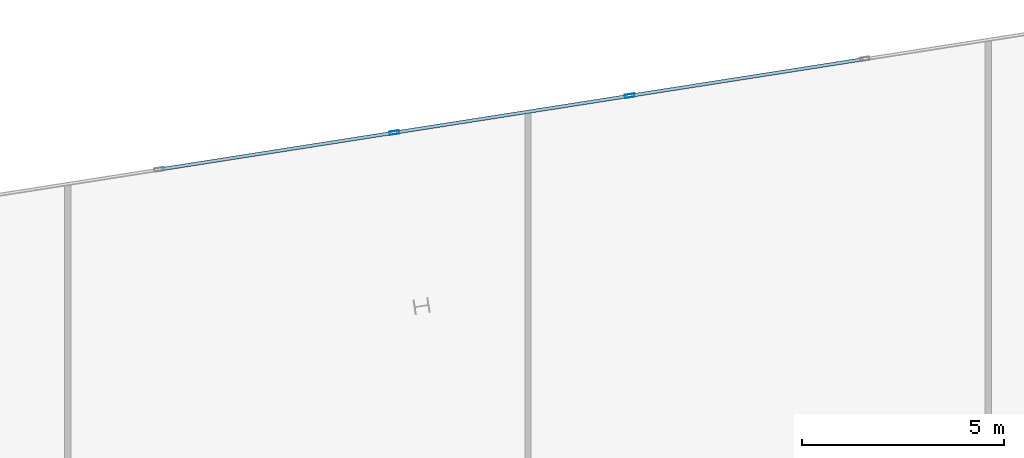
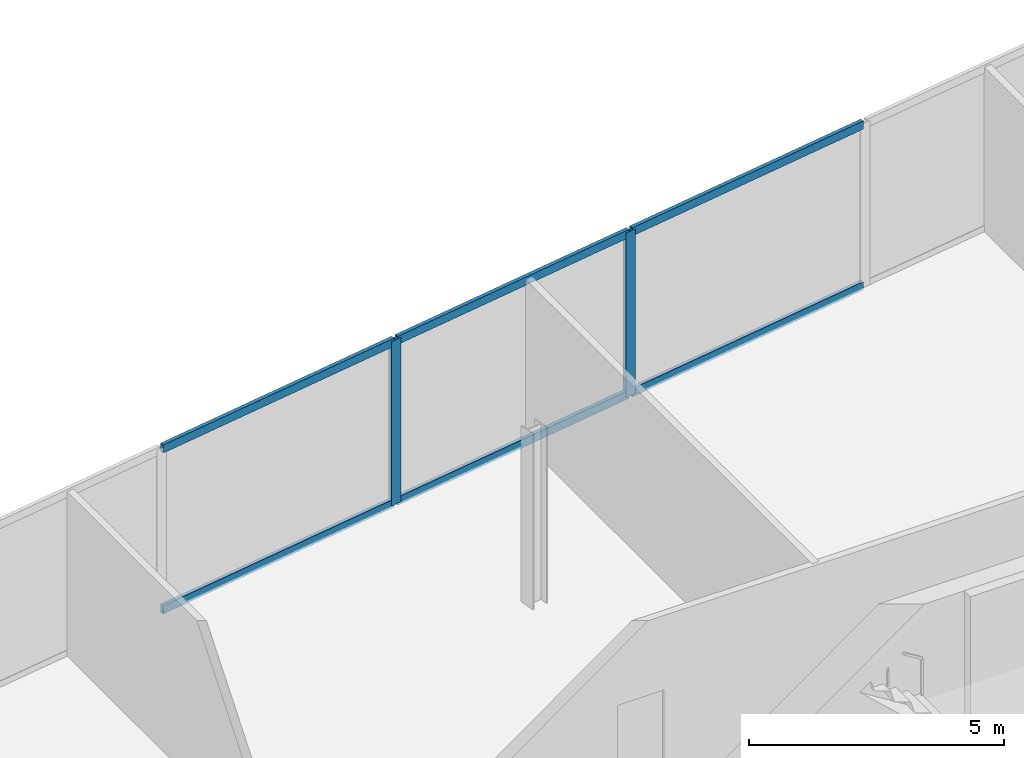
# One storey, part 8 of 13: 8 members, 1 element without a shape of its own.
"""IFC4 building model written with IfcOpenShell, lengths in metres."""

from ifc_helpers import new_model, si_unit, direction, frame, origin, origin_2d, place, context, subcontext, project, spatial, hollow_rectangle, extrude, material, material_profile, profile_set, type_object, element, aggregate, save


model = new_model("IFC4")

# Units and contexts
model_context = context("Model", 3, precision=1e-05, world=origin(), true_north=direction((0.0, 1.0)))
body_context = subcontext(model_context, "Body", "Model", "MODEL_VIEW")
ifc_project = project(units=[si_unit("LENGTHUNIT", "METRE"), si_unit("AREAUNIT", "SQUARE_METRE"), si_unit("VOLUMEUNIT", "CUBIC_METRE"), si_unit("PLANEANGLEUNIT", "RADIAN"), si_unit("MASSUNIT", "GRAM", prefix="KILO")], contexts=[model_context])

# Site, building, storey
site_placement = place(None, origin())
site = spatial("IfcSite", under=ifc_project, at=site_placement, CompositionType="ELEMENT")
building_placement = place(site_placement, origin())
building = spatial("IfcBuilding", under=site, at=building_placement, Name="Haldenkirk Collegiate Tower", CompositionType="ELEMENT")
storey_placement = place(building_placement, frame((0.0, 0.0, 356.39990234375)))
storey = spatial("IfcBuildingStorey", under=building, at=storey_placement, Name="L90", CompositionType="ELEMENT", Elevation=356.39990234375)

# Curtain wall, members
ifc_material = material(Name="Anodised architectural bronze aluminium", Category="aluminium")
curtain_wall_type = type_object("IfcCurtainWallType", Name="CW-SYS5-LANTERN", PredefinedType="USERDEFINED", material=ifc_material)
curtain_wall_placement = place(storey_placement, origin())
curtain_wall = element("IfcCurtainWall", 1, at=curtain_wall_placement, inside=storey, type_object=curtain_wall_type, Name="L90 Level L90 glazed crown lantern curtain wall", ObjectType="UNITISED CURTAIN WALL", PredefinedType="USERDEFINED")
ifc_material_profile_1 = material_profile(ifc_material, hollow_rectangle(XDim=0.0849609375, YDim=0.235107421875, WallThickness=0.0048828125, at=origin_2d()), Name="CW-MUL-05")
ifc_profile_set_1 = profile_set([ifc_material_profile_1], Name="Anodised architectural bronze aluminium")
member_type_1 = type_object("IfcMemberType", Name="CW-MUL-05", PredefinedType="MULLION", material=ifc_profile_set_1)
member_1_placement = place(storey_placement, frame((32.689208984375, 47.142333984375, 0.0), z_axis=(0.0, 0.0, 1.0), x_axis=(-0.154708982189, 0.987960085646, 0.0)))
member_1 = element("IfcMember", 2, at=member_1_placement, type_object=member_type_1, Name="CW-05 mullion 4", PredefinedType="MULLION", context=body_context, shape_type="SweptSolid", body=[
    extrude(hollow_rectangle(XDim=0.0849609375, YDim=0.235107421875, WallThickness=0.0048828125, at=origin_2d()), origin(), (0.0, 0.0, 1.0), 3.93017578125),
])
member_2_placement = place(storey_placement, frame((38.51806640625, 48.05517578125, 0.0), z_axis=(0.0, 0.0, 1.0), x_axis=(-0.154708982189, 0.987960085646, 0.0)))
member_2 = element("IfcMember", 3, at=member_2_placement, type_object=member_type_1, Name="CW-05 mullion 5", PredefinedType="MULLION", context=body_context, shape_type="SweptSolid", body=[
    extrude(hollow_rectangle(XDim=0.0849609375, YDim=0.235107421875, WallThickness=0.0048828125, at=origin_2d()), origin(), (0.0, 0.0, 1.0), 3.93017578125),
])
ifc_material_profile_2 = material_profile(ifc_material, hollow_rectangle(XDim=0.0849609375, YDim=0.195068359375, WallThickness=0.0048828125, at=origin_2d()), Name="CW-TRN-05")
ifc_profile_set_2 = profile_set([ifc_material_profile_2], Name="Anodised architectural bronze aluminium")
member_type_2 = type_object("IfcMemberType", Name="CW-TRN-05", PredefinedType="USERDEFINED", material=ifc_profile_set_2)
member_3_placement = place(storey_placement, frame((26.902099609375, 46.236083984375, 0.04248046875), z_axis=(0.987959948292, 0.154709859317, 0.0), x_axis=(-0.154709859317, 0.987959948292, 0.0)))
member_3 = element("IfcMember", 4, at=member_3_placement, type_object=member_type_2, Name="CW-05 transom 3.1", ObjectType="TRANSOM", PredefinedType="USERDEFINED", context=body_context, shape_type="SweptSolid", body=[
    extrude(hollow_rectangle(XDim=0.0849609375, YDim=0.195068359375, WallThickness=0.0048828125, at=origin_2d()), origin(), (0.0, 0.0, 1.0), 5.815185546875),
])
member_4_placement = place(storey_placement, frame((26.902099609375, 46.236083984375, 3.8876953125), z_axis=(0.987959948292, 0.154709859317, 0.0), x_axis=(-0.154709859317, 0.987959948292, 0.0)))
member_4 = element("IfcMember", 5, at=member_4_placement, type_object=member_type_2, Name="CW-05 transom 3.2", ObjectType="TRANSOM", PredefinedType="USERDEFINED", context=body_context, shape_type="SweptSolid", body=[
    extrude(hollow_rectangle(XDim=0.0849609375, YDim=0.195068359375, WallThickness=0.0048828125, at=origin_2d()), origin(), (0.0, 0.0, 1.0), 5.815185546875),
])
member_5_placement = place(storey_placement, frame((32.731201171875, 47.14892578125, 0.04248046875), z_axis=(0.987958943345, 0.154716276666, 0.0), x_axis=(-0.154716276666, 0.987958943345, 0.0)))
member_5 = element("IfcMember", 6, at=member_5_placement, type_object=member_type_2, Name="CW-05 transom 4.1", ObjectType="TRANSOM", PredefinedType="USERDEFINED", context=body_context, shape_type="SweptSolid", body=[
    extrude(hollow_rectangle(XDim=0.0849609375, YDim=0.195068359375, WallThickness=0.0048828125, at=origin_2d()), origin(), (0.0, 0.0, 1.0), 5.81494140625),
])
member_6_placement = place(storey_placement, frame((32.731201171875, 47.14892578125, 3.8876953125), z_axis=(0.987958943345, 0.154716276666, 0.0), x_axis=(-0.154716276666, 0.987958943345, 0.0)))
member_6 = element("IfcMember", 7, at=member_6_placement, type_object=member_type_2, Name="CW-05 transom 4.2", ObjectType="TRANSOM", PredefinedType="USERDEFINED", context=body_context, shape_type="SweptSolid", body=[
    extrude(hollow_rectangle(XDim=0.0849609375, YDim=0.195068359375, WallThickness=0.0048828125, at=origin_2d()), origin(), (0.0, 0.0, 1.0), 5.81494140625),
])
member_7_placement = place(storey_placement, frame((38.56005859375, 48.061767578125, 0.04248046875), z_axis=(0.987959948292, 0.154709859317, 0.0), x_axis=(-0.154709859317, 0.987959948292, 0.0)))
member_7 = element("IfcMember", 8, at=member_7_placement, type_object=member_type_2, Name="CW-05 transom 5.1", ObjectType="TRANSOM", PredefinedType="USERDEFINED", context=body_context, shape_type="SweptSolid", body=[
    extrude(hollow_rectangle(XDim=0.0849609375, YDim=0.195068359375, WallThickness=0.0048828125, at=origin_2d()), origin(), (0.0, 0.0, 1.0), 5.815185546875),
])
member_8_placement = place(storey_placement, frame((38.56005859375, 48.061767578125, 3.8876953125), z_axis=(0.987959948292, 0.154709859317, 0.0), x_axis=(-0.154709859317, 0.987959948292, 0.0)))
member_8 = element("IfcMember", 9, at=member_8_placement, type_object=member_type_2, Name="CW-05 transom 5.2", ObjectType="TRANSOM", PredefinedType="USERDEFINED", context=body_context, shape_type="SweptSolid", body=[
    extrude(hollow_rectangle(XDim=0.0849609375, YDim=0.195068359375, WallThickness=0.0048828125, at=origin_2d()), origin(), (0.0, 0.0, 1.0), 5.815185546875),
])
aggregate(curtain_wall, [member_1, member_2, member_3, member_4, member_5, member_6, member_7, member_8])

save(model, "model.ifc")
